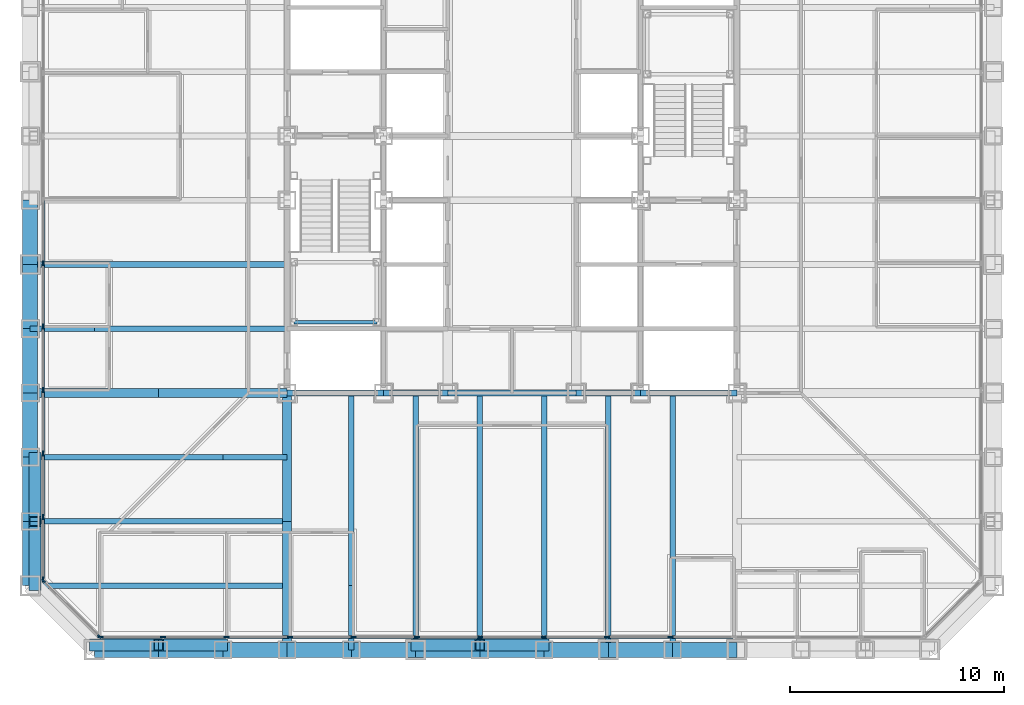
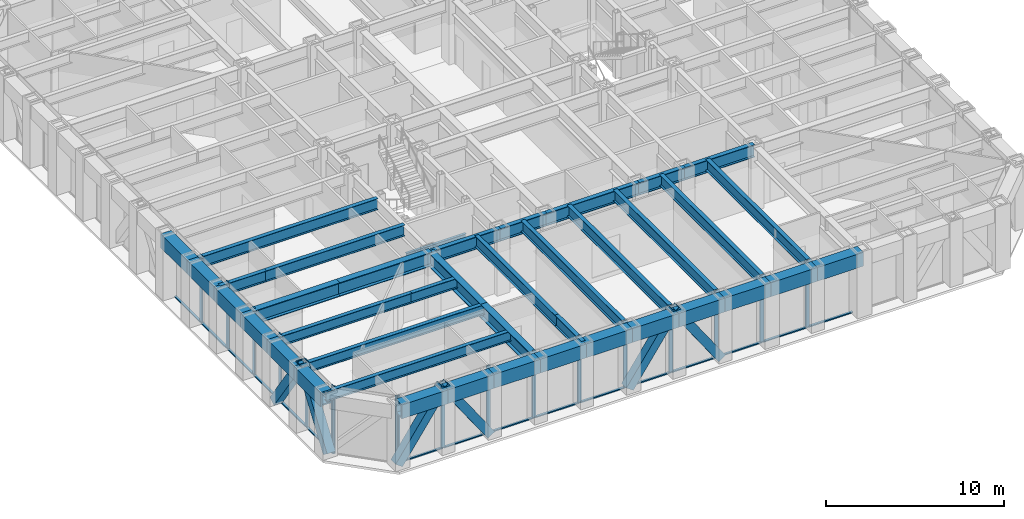
# One storey, part 2 of 17: 40 beams, 40 members, 3 elements without a shape of their own.
"""IFC4 building model written with IfcOpenShell, lengths in metres."""

from ifc_helpers import new_model, si_unit, direction, frame, origin, origin_2d, place, context, subcontext, project, spatial, rectangle, hollow_rectangle, i_section, extrude, material, layer, layer_set, material_profile, profile_set, type_object, element, aggregate, save


model = new_model("IFC4")

# Units and contexts
model_context = context("Model", 3, precision=1e-05, world=origin(), true_north=direction((0.0, 1.0)))
body_context = subcontext(model_context, "Body", "Model", "MODEL_VIEW")
ifc_project = project(units=[si_unit("LENGTHUNIT", "METRE"), si_unit("AREAUNIT", "SQUARE_METRE"), si_unit("VOLUMEUNIT", "CUBIC_METRE"), si_unit("PLANEANGLEUNIT", "RADIAN"), si_unit("MASSUNIT", "GRAM", prefix="KILO")], contexts=[model_context])

# Site, building, storey
site_placement = place(None, origin())
site = spatial("IfcSite", under=ifc_project, at=site_placement, CompositionType="ELEMENT")
building_placement = place(site_placement, origin())
building = spatial("IfcBuilding", under=site, at=building_placement, Name="Chuquiago Exchange Tower", CompositionType="ELEMENT")
storey_placement = place(building_placement, frame((0.0, 0.0, 91.800048828125)))
storey = spatial("IfcBuildingStorey", under=building, at=storey_placement, Name="L19", CompositionType="ELEMENT", Elevation=91.800048828125)

# Beams
ifc_material_1 = material(Name="Steel ASTM A992", Category="steel")
ifc_material_profile_1 = material_profile(ifc_material_1, i_section(OverallWidth=0.2919921875, OverallDepth=0.8583984375, WebThickness=0.01708984375, FlangeThickness=0.031005859375, at=origin_2d()), Name="W33X169")
ifc_profile_set_1 = profile_set([ifc_material_profile_1], Name="Steel ASTM A992")
beam_type_1 = type_object("IfcBeamType", Name="B3 W33X169", PredefinedType="BEAM", material=ifc_profile_set_1)
beam_1_placement = place(storey_placement, frame((12.0, 12.0, 3.91064453125), z_axis=(1.0, 0.0, 0.0), x_axis=(0.0, 1.0, 0.0)))
element("IfcBeam", 1, at=beam_1_placement, inside=storey, type_object=beam_type_1, Name="CB-L20-12_12-16.5_12", PredefinedType="BEAM", context=body_context, shape_type="SweptSolid", body=[
    extrude(i_section(OverallWidth=0.2919921875, OverallDepth=0.8583984375, WebThickness=0.01708984375, FlangeThickness=0.031005859375, at=origin_2d()), origin(), (0.0, 0.0, 1.0), 4.5),
])
beam_2_placement = place(storey_placement, frame((16.5, 12.0, 3.91064453125), z_axis=(1.0, 0.0, 0.0), x_axis=(0.0, 1.0, 0.0)))
element("IfcBeam", 2, at=beam_2_placement, inside=storey, type_object=beam_type_1, Name="CB-L20-16.5_12-19.5_12", PredefinedType="BEAM", context=body_context, shape_type="SweptSolid", body=[
    extrude(i_section(OverallWidth=0.2919921875, OverallDepth=0.8583984375, WebThickness=0.01708984375, FlangeThickness=0.031005859375, at=origin_2d()), origin(), (0.0, 0.0, 1.0), 3.0),
])
beam_3_placement = place(storey_placement, frame((19.5, 12.0, 3.91064453125), z_axis=(1.0, 0.0, 0.0), x_axis=(0.0, 1.0, 0.0)))
element("IfcBeam", 3, at=beam_3_placement, inside=storey, type_object=beam_type_1, Name="CB-L20-19.5_12-25.5_12", PredefinedType="BEAM", context=body_context, shape_type="SweptSolid", body=[
    extrude(i_section(OverallWidth=0.2919921875, OverallDepth=0.8583984375, WebThickness=0.01708984375, FlangeThickness=0.031005859375, at=origin_2d()), origin(), (0.0, 0.0, 1.0), 6.0),
])
beam_4_placement = place(storey_placement, frame((25.5, 12.0, 3.91064453125), z_axis=(1.0, 0.0, 0.0), x_axis=(0.0, 1.0, 0.0)))
element("IfcBeam", 4, at=beam_4_placement, inside=storey, type_object=beam_type_1, Name="CB-L20-25.5_12-28.5_12", PredefinedType="BEAM", context=body_context, shape_type="SweptSolid", body=[
    extrude(i_section(OverallWidth=0.2919921875, OverallDepth=0.8583984375, WebThickness=0.01708984375, FlangeThickness=0.031005859375, at=origin_2d()), origin(), (0.0, 0.0, 1.0), 3.0),
])
beam_5_placement = place(storey_placement, frame((28.5, 12.0, 3.91064453125), z_axis=(1.0, 0.0, 0.0), x_axis=(0.0, 1.0, 0.0)))
element("IfcBeam", 5, at=beam_5_placement, inside=storey, type_object=beam_type_1, Name="CB-L20-28.5_12-33_12", PredefinedType="BEAM", context=body_context, shape_type="SweptSolid", body=[
    extrude(i_section(OverallWidth=0.2919921875, OverallDepth=0.8583984375, WebThickness=0.01708984375, FlangeThickness=0.031005859375, at=origin_2d()), origin(), (0.0, 0.0, 1.0), 4.5),
])
ifc_material_2 = material(Name="Steel ASTM A992", Category="steel")
ifc_material_profile_2 = material_profile(ifc_material_2, i_section(OverallWidth=0.2666015625, OverallDepth=0.761962890625, WebThickness=0.014404296875, FlangeThickness=0.021484375, at=origin_2d()), Name="W30X116")
ifc_profile_set_2 = profile_set([ifc_material_profile_2], Name="Steel ASTM A992")
beam_type_2 = type_object("IfcBeamType", Name="B8 W30X116", PredefinedType="BEAM", material=ifc_profile_set_2)
beam_6_placement = place(storey_placement, frame((15.0, 12.0, 3.958984375), z_axis=(0.0, -1.0, 0.0), x_axis=(1.0, 0.0, 0.0)))
element("IfcBeam", 6, at=beam_6_placement, inside=storey, type_object=beam_type_2, Name="FB-L20-infill-15_12-15_-0-0", PredefinedType="BEAM", context=body_context, shape_type="SweptSolid", body=[
    extrude(i_section(OverallWidth=0.2666015625, OverallDepth=0.761962890625, WebThickness=0.014404296875, FlangeThickness=0.021484375, at=origin_2d()), origin(), (0.0, 0.0, 1.0), 9.0),
])
beam_7_placement = place(storey_placement, frame((15.0, 3.0, 3.958984375), z_axis=(0.0, -1.0, 0.0), x_axis=(1.0, 0.0, 0.0)))
element("IfcBeam", 7, at=beam_7_placement, inside=storey, type_object=beam_type_2, Name="FB-L20-infill-15_12-15_-0-1", PredefinedType="BEAM", context=body_context, shape_type="SweptSolid", body=[
    extrude(i_section(OverallWidth=0.2666015625, OverallDepth=0.761962890625, WebThickness=0.014404296875, FlangeThickness=0.021484375, at=origin_2d()), origin(), (0.0, 0.0, 1.0), 3.0),
])
for number, where, z_axis, x_axis, name in (
    (8, (18.0, 12.0, 3.958984375), (0.0, -1.0, 0.0), (1.0, 0.0, 0.0), "FB-L20-infill-18_12-18_-0-0"),
    (9, (21.0, 12.0, 3.958984375), (0.0, -1.0, 0.0), (1.0, 0.0, 0.0), "FB-L20-infill-21_12-21_-0-0"),
    (10, (24.0, 12.0, 3.958984375), (0.0, -1.0, 0.0), (1.0, 0.0, 0.0), "FB-L20-infill-24_12-24_-0-0"),
    (11, (27.0, 12.0, 3.958984375), (0.0, -1.0, 0.0), (1.0, 0.0, 0.0), "FB-L20-infill-27_12-27_-0-0"),
    (12, (30.0, 12.0, 3.958984375), (0.0, -1.0, 0.0), (1.0, 0.0, 0.0), "FB-L20-infill-30_12-30_-0-0"),
):
    element("IfcBeam", number, at=place(storey_placement, frame(where, z_axis=z_axis, x_axis=x_axis)), inside=storey, type_object=beam_type_2, Name=name, PredefinedType="BEAM", context=body_context, shape_type="SweptSolid", body=[
        extrude(i_section(OverallWidth=0.2666015625, OverallDepth=0.761962890625, WebThickness=0.014404296875, FlangeThickness=0.021484375, at=origin_2d()), origin(), (0.0, 0.0, 1.0), 12.0),
    ])
beam_8_placement = place(storey_placement, frame((12.0, 15.0, 3.958984375), z_axis=(-1.0, 0.0, 0.0), x_axis=(0.0, -1.0, 0.0)))
element("IfcBeam", 13, at=beam_8_placement, inside=storey, type_object=beam_type_2, Name="FB-L20-infill-12_15--0_15-0", PredefinedType="BEAM", context=body_context, shape_type="SweptSolid", body=[
    extrude(i_section(OverallWidth=0.2666015625, OverallDepth=0.761962890625, WebThickness=0.014404296875, FlangeThickness=0.021484375, at=origin_2d()), origin(), (0.0, 0.0, 1.0), 9.0),
])
beam_9_placement = place(storey_placement, frame((3.0, 15.0, 3.958984375), z_axis=(-1.0, 0.0, 0.0), x_axis=(0.0, -1.0, 0.0)))
element("IfcBeam", 14, at=beam_9_placement, inside=storey, type_object=beam_type_2, Name="FB-L20-infill-12_15--0_15-1", PredefinedType="BEAM", context=body_context, shape_type="SweptSolid", body=[
    extrude(i_section(OverallWidth=0.2666015625, OverallDepth=0.761962890625, WebThickness=0.014404296875, FlangeThickness=0.021484375, at=origin_2d()), origin(), (0.0, 0.0, 1.0), 3.0),
])
beam_10_placement = place(storey_placement, frame((12.0, 18.0, 3.958984375), z_axis=(-1.0, 0.0, 0.0), x_axis=(0.0, -1.0, 0.0)))
element("IfcBeam", 15, at=beam_10_placement, inside=storey, type_object=beam_type_2, Name="FB-L20-infill-12_18--0_18-0", PredefinedType="BEAM", context=body_context, shape_type="SweptSolid", body=[
    extrude(i_section(OverallWidth=0.2666015625, OverallDepth=0.761962890625, WebThickness=0.014404296875, FlangeThickness=0.021484375, at=origin_2d()), origin(), (0.0, 0.0, 1.0), 12.0),
])
ifc_material_3 = material(Name="Steel ASTM A992", Category="steel")
ifc_material_profile_3 = material_profile(ifc_material_3, i_section(OverallWidth=0.256591796875, OverallDepth=0.693359375, WebThickness=0.014404296875, FlangeThickness=0.023681640625, at=origin_2d()), Name="W27X114")
ifc_profile_set_3 = profile_set([ifc_material_profile_3], Name="Steel ASTM A992")
beam_type_3 = type_object("IfcBeamType", Name="B9 W27X114", PredefinedType="BEAM", material=ifc_profile_set_3)
for number, where, z_axis, x_axis, name in (
    (16, (12.0, 3.0, 3.9931640625), (-1.0, 0.0, 0.0), (0.0, -1.0, 0.0), "FB-L20-corner-12_3--0_3-0"),
    (17, (12.0, 6.0, 3.9931640625), (-1.0, 0.0, 0.0), (0.0, -1.0, 0.0), "FB-L20-corner-12_6--0_6-0"),
):
    element("IfcBeam", number, at=place(storey_placement, frame(where, z_axis=z_axis, x_axis=x_axis)), inside=storey, type_object=beam_type_3, Name=name, PredefinedType="BEAM", context=body_context, shape_type="SweptSolid", body=[
        extrude(i_section(OverallWidth=0.256591796875, OverallDepth=0.693359375, WebThickness=0.014404296875, FlangeThickness=0.023681640625, at=origin_2d()), origin(), (0.0, 0.0, 1.0), 12.0),
    ])
beam_11_placement = place(storey_placement, frame((12.0, 9.0, 3.9931640625), z_axis=(-1.0, 0.0, 0.0), x_axis=(0.0, -1.0, 0.0)))
element("IfcBeam", 18, at=beam_11_placement, inside=storey, type_object=beam_type_3, Name="FB-L20-corner-12_9--0_9-0", PredefinedType="BEAM", context=body_context, shape_type="SweptSolid", body=[
    extrude(i_section(OverallWidth=0.256591796875, OverallDepth=0.693359375, WebThickness=0.014404296875, FlangeThickness=0.023681640625, at=origin_2d()), origin(), (0.0, 0.0, 1.0), 3.0),
])
beam_12_placement = place(storey_placement, frame((9.0, 9.0, 3.9931640625), z_axis=(-1.0, 0.0, 0.0), x_axis=(0.0, -1.0, 0.0)))
element("IfcBeam", 19, at=beam_12_placement, inside=storey, type_object=beam_type_3, Name="FB-L20-corner-12_9--0_9-1", PredefinedType="BEAM", context=body_context, shape_type="SweptSolid", body=[
    extrude(i_section(OverallWidth=0.256591796875, OverallDepth=0.693359375, WebThickness=0.014404296875, FlangeThickness=0.023681640625, at=origin_2d()), origin(), (0.0, 0.0, 1.0), 9.0),
])

# Curtain wall, members
ifc_material_4 = material(Name="Aluminium curtain wall system", Category="aluminium")
ifc_layer_1 = layer(ifc_material_4, 0.25)
ifc_layer_set_1 = layer_set([ifc_layer_1], Name="CW1 trading floor curtain wall")
curtain_wall_type_1 = type_object("IfcCurtainWallType", Name="CW1 trading floor curtain wall", PredefinedType="NOTDEFINED", material=ifc_layer_set_1)
curtain_wall_1_placement = place(storey_placement, origin())
curtain_wall_1 = element("IfcCurtainWall", 20, at=curtain_wall_1_placement, inside=storey, type_object=curtain_wall_type_1, Name="CW1 curtain wall L19", PredefinedType="NOTDEFINED")
ifc_material_5 = material(Name="Aluminium mullion, pale anodised", Category="aluminium")
ifc_material_profile_4 = material_profile(ifc_material_5, rectangle(XDim=0.074951171875, YDim=0.25, at=origin_2d()), Name="AL 75x250")
ifc_profile_set_4 = profile_set([ifc_material_profile_4], Name="Aluminium mullion, pale anodised")
member_type_1 = type_object("IfcMemberType", Name="CW1-M mullion 75x250", PredefinedType="MULLION", material=ifc_profile_set_4)
member_1_placement = place(storey_placement, frame((3.285888671875, 0.60009765625, -0.300048828125), z_axis=(0.0, 0.0, 1.0), x_axis=(0.0, 1.0, 0.0)))
member_1 = element("IfcMember", 21, at=member_1_placement, type_object=member_type_1, Name="CW1 mullion 1", PredefinedType="MULLION", context=body_context, shape_type="SweptSolid", body=[
    extrude(rectangle(XDim=0.074951171875, YDim=0.25, at=origin_2d()), origin(), (0.0, 0.0, 1.0), 4.639892578125),
])
member_2_placement = place(storey_placement, frame((6.210205078125, 0.60009765625, -0.300048828125), z_axis=(0.0, 0.0, 1.0), x_axis=(0.0, 1.0, 0.0)))
member_2 = element("IfcMember", 22, at=member_2_placement, type_object=member_type_1, Name="CW1 mullion 2", PredefinedType="MULLION", context=body_context, shape_type="SweptSolid", body=[
    extrude(rectangle(XDim=0.074951171875, YDim=0.25, at=origin_2d()), origin(), (0.0, 0.0, 1.0), 4.639892578125),
])
member_3_placement = place(storey_placement, frame((9.172119140625, 0.60009765625, -0.300048828125), z_axis=(0.0, 0.0, 1.0), x_axis=(0.0, 1.0, 0.0)))
member_3 = element("IfcMember", 23, at=member_3_placement, type_object=member_type_1, Name="CW1 mullion 3", PredefinedType="MULLION", context=body_context, shape_type="SweptSolid", body=[
    extrude(rectangle(XDim=0.074951171875, YDim=0.25, at=origin_2d()), origin(), (0.0, 0.0, 1.0), 4.639892578125),
])
member_4_placement = place(storey_placement, frame((12.1337890625, 0.60009765625, -0.300048828125), z_axis=(0.0, 0.0, 1.0), x_axis=(0.0, 1.0, 0.0)))
member_4 = element("IfcMember", 24, at=member_4_placement, type_object=member_type_1, Name="CW1 mullion 4", PredefinedType="MULLION", context=body_context, shape_type="SweptSolid", body=[
    extrude(rectangle(XDim=0.074951171875, YDim=0.25, at=origin_2d()), origin(), (0.0, 0.0, 1.0), 4.639892578125),
])
member_5_placement = place(storey_placement, frame((15.095458984375, 0.60009765625, -0.300048828125), z_axis=(0.0, 0.0, 1.0), x_axis=(0.0, 1.0, 0.0)))
member_5 = element("IfcMember", 25, at=member_5_placement, type_object=member_type_1, Name="CW1 mullion 5", PredefinedType="MULLION", context=body_context, shape_type="SweptSolid", body=[
    extrude(rectangle(XDim=0.074951171875, YDim=0.25, at=origin_2d()), origin(), (0.0, 0.0, 1.0), 4.639892578125),
])
member_6_placement = place(storey_placement, frame((18.057373046875, 0.60009765625, -0.300048828125), z_axis=(0.0, 0.0, 1.0), x_axis=(0.0, 1.0, 0.0)))
member_6 = element("IfcMember", 26, at=member_6_placement, type_object=member_type_1, Name="CW1 mullion 6", PredefinedType="MULLION", context=body_context, shape_type="SweptSolid", body=[
    extrude(rectangle(XDim=0.074951171875, YDim=0.25, at=origin_2d()), origin(), (0.0, 0.0, 1.0), 4.639892578125),
])
member_7_placement = place(storey_placement, frame((21.01904296875, 0.60009765625, -0.300048828125), z_axis=(0.0, 0.0, 1.0), x_axis=(0.0, 1.0, 0.0)))
member_7 = element("IfcMember", 27, at=member_7_placement, type_object=member_type_1, Name="CW1 mullion 7", PredefinedType="MULLION", context=body_context, shape_type="SweptSolid", body=[
    extrude(rectangle(XDim=0.074951171875, YDim=0.25, at=origin_2d()), origin(), (0.0, 0.0, 1.0), 4.639892578125),
])
member_8_placement = place(storey_placement, frame((23.98095703125, 0.60009765625, -0.300048828125), z_axis=(0.0, 0.0, 1.0), x_axis=(0.0, 1.0, 0.0)))
member_8 = element("IfcMember", 28, at=member_8_placement, type_object=member_type_1, Name="CW1 mullion 8", PredefinedType="MULLION", context=body_context, shape_type="SweptSolid", body=[
    extrude(rectangle(XDim=0.074951171875, YDim=0.25, at=origin_2d()), origin(), (0.0, 0.0, 1.0), 4.639892578125),
])
member_9_placement = place(storey_placement, frame((26.942626953125, 0.60009765625, -0.300048828125), z_axis=(0.0, 0.0, 1.0), x_axis=(0.0, 1.0, 0.0)))
member_9 = element("IfcMember", 29, at=member_9_placement, type_object=member_type_1, Name="CW1 mullion 9", PredefinedType="MULLION", context=body_context, shape_type="SweptSolid", body=[
    extrude(rectangle(XDim=0.074951171875, YDim=0.25, at=origin_2d()), origin(), (0.0, 0.0, 1.0), 4.639892578125),
])
member_10_placement = place(storey_placement, frame((29.904541015625, 0.60009765625, -0.300048828125), z_axis=(0.0, 0.0, 1.0), x_axis=(0.0, 1.0, 0.0)))
member_10 = element("IfcMember", 30, at=member_10_placement, type_object=member_type_1, Name="CW1 mullion 10", PredefinedType="MULLION", context=body_context, shape_type="SweptSolid", body=[
    extrude(rectangle(XDim=0.074951171875, YDim=0.25, at=origin_2d()), origin(), (0.0, 0.0, 1.0), 4.639892578125),
])

curtain_wall_2_placement = place(storey_placement, origin())
curtain_wall_2 = element("IfcCurtainWall", 31, at=curtain_wall_2_placement, inside=storey, type_object=curtain_wall_type_1, Name="CW1 curtain wall L19", PredefinedType="NOTDEFINED")
member_11_placement = place(storey_placement, frame((0.60009765625, 18.057373046875, -0.300048828125), z_axis=(0.0, 0.0, 1.0), x_axis=(1.0, 0.0, 0.0)))
member_11 = element("IfcMember", 32, at=member_11_placement, type_object=member_type_1, Name="CW1 mullion 9", PredefinedType="MULLION", context=body_context, shape_type="SweptSolid", body=[
    extrude(rectangle(XDim=0.074951171875, YDim=0.25, at=origin_2d()), origin(), (0.0, 0.0, 1.0), 4.639892578125),
])
member_12_placement = place(storey_placement, frame((0.60009765625, 15.095458984375, -0.300048828125), z_axis=(0.0, 0.0, 1.0), x_axis=(1.0, 0.0, 0.0)))
member_12 = element("IfcMember", 33, at=member_12_placement, type_object=member_type_1, Name="CW1 mullion 10", PredefinedType="MULLION", context=body_context, shape_type="SweptSolid", body=[
    extrude(rectangle(XDim=0.074951171875, YDim=0.25, at=origin_2d()), origin(), (0.0, 0.0, 1.0), 4.639892578125),
])
member_13_placement = place(storey_placement, frame((0.60009765625, 12.1337890625, -0.300048828125), z_axis=(0.0, 0.0, 1.0), x_axis=(1.0, 0.0, 0.0)))
member_13 = element("IfcMember", 34, at=member_13_placement, type_object=member_type_1, Name="CW1 mullion 11", PredefinedType="MULLION", context=body_context, shape_type="SweptSolid", body=[
    extrude(rectangle(XDim=0.074951171875, YDim=0.25, at=origin_2d()), origin(), (0.0, 0.0, 1.0), 4.639892578125),
])
member_14_placement = place(storey_placement, frame((0.60009765625, 9.172119140625, -0.300048828125), z_axis=(0.0, 0.0, 1.0), x_axis=(1.0, 0.0, 0.0)))
member_14 = element("IfcMember", 35, at=member_14_placement, type_object=member_type_1, Name="CW1 mullion 12", PredefinedType="MULLION", context=body_context, shape_type="SweptSolid", body=[
    extrude(rectangle(XDim=0.074951171875, YDim=0.25, at=origin_2d()), origin(), (0.0, 0.0, 1.0), 4.639892578125),
])
member_15_placement = place(storey_placement, frame((0.60009765625, 6.210205078125, -0.300048828125), z_axis=(0.0, 0.0, 1.0), x_axis=(1.0, 0.0, 0.0)))
member_15 = element("IfcMember", 36, at=member_15_placement, type_object=member_type_1, Name="CW1 mullion 13", PredefinedType="MULLION", context=body_context, shape_type="SweptSolid", body=[
    extrude(rectangle(XDim=0.074951171875, YDim=0.25, at=origin_2d()), origin(), (0.0, 0.0, 1.0), 4.639892578125),
])
member_16_placement = place(storey_placement, frame((0.60009765625, 3.285888671875, -0.300048828125), z_axis=(0.0, 0.0, 1.0), x_axis=(1.0, 0.0, 0.0)))
member_16 = element("IfcMember", 37, at=member_16_placement, type_object=member_type_1, Name="CW1 mullion 14", PredefinedType="MULLION", context=body_context, shape_type="SweptSolid", body=[
    extrude(rectangle(XDim=0.074951171875, YDim=0.25, at=origin_2d()), origin(), (0.0, 0.0, 1.0), 4.639892578125),
])

# Member
ifc_material_6 = material(Name="Aluminium transom, pale anodised", Category="aluminium")
ifc_material_profile_5 = material_profile(ifc_material_6, rectangle(XDim=0.14990234375, YDim=0.074951171875, at=origin_2d()), Name="AL 150x75")
ifc_profile_set_5 = profile_set([ifc_material_profile_5], Name="Aluminium transom, pale anodised")
member_type_2 = type_object("IfcMemberType", Name="CW1-T transom 75x150", PredefinedType="MULLION", material=ifc_profile_set_5)
member_17_placement = place(storey_placement, frame((3.323486328125, 0.60009765625, -0.262451171875), z_axis=(1.0, 0.0, 0.0), x_axis=(0.0, 1.0, 0.0)))
member_17 = element("IfcMember", 38, at=member_17_placement, type_object=member_type_2, Name="CW1 transom 1.1", PredefinedType="MULLION", context=body_context, shape_type="SweptSolid", body=[
    extrude(rectangle(XDim=0.14990234375, YDim=0.074951171875, at=origin_2d()), origin(), (0.0, 0.0, 1.0), 2.849365234375),
])

member_18_placement = place(storey_placement, frame((6.247802734375, 0.60009765625, -0.262451171875), z_axis=(1.0, 0.0, 0.0), x_axis=(0.0, 1.0, 0.0)))
member_18 = element("IfcMember", 39, at=member_18_placement, type_object=member_type_2, Name="CW1 transom 2.1", PredefinedType="MULLION", context=body_context, shape_type="SweptSolid", body=[
    extrude(rectangle(XDim=0.14990234375, YDim=0.074951171875, at=origin_2d()), origin(), (0.0, 0.0, 1.0), 2.88671875),
])

member_19_placement = place(storey_placement, frame((9.20947265625, 0.60009765625, -0.262451171875), z_axis=(1.0, 0.0, 0.0), x_axis=(0.0, 1.0, 0.0)))
member_19 = element("IfcMember", 40, at=member_19_placement, type_object=member_type_2, Name="CW1 transom 3.1", PredefinedType="MULLION", context=body_context, shape_type="SweptSolid", body=[
    extrude(rectangle(XDim=0.14990234375, YDim=0.074951171875, at=origin_2d()), origin(), (0.0, 0.0, 1.0), 2.88671875),
])

member_20_placement = place(storey_placement, frame((12.17138671875, 0.60009765625, -0.262451171875), z_axis=(1.0, 0.0, 0.0), x_axis=(0.0, 1.0, 0.0)))
member_20 = element("IfcMember", 41, at=member_20_placement, type_object=member_type_2, Name="CW1 transom 4.1", PredefinedType="MULLION", context=body_context, shape_type="SweptSolid", body=[
    extrude(rectangle(XDim=0.14990234375, YDim=0.074951171875, at=origin_2d()), origin(), (0.0, 0.0, 1.0), 2.88671875),
])

member_21_placement = place(storey_placement, frame((15.133056640625, 0.60009765625, -0.262451171875), z_axis=(1.0, 0.0, 0.0), x_axis=(0.0, 1.0, 0.0)))
member_21 = element("IfcMember", 42, at=member_21_placement, type_object=member_type_2, Name="CW1 transom 5.1", PredefinedType="MULLION", context=body_context, shape_type="SweptSolid", body=[
    extrude(rectangle(XDim=0.14990234375, YDim=0.074951171875, at=origin_2d()), origin(), (0.0, 0.0, 1.0), 2.88671875),
])

member_22_placement = place(storey_placement, frame((18.0947265625, 0.60009765625, -0.262451171875), z_axis=(1.0, 0.0, 0.0), x_axis=(0.0, 1.0, 0.0)))
member_22 = element("IfcMember", 43, at=member_22_placement, type_object=member_type_2, Name="CW1 transom 6.1", PredefinedType="MULLION", context=body_context, shape_type="SweptSolid", body=[
    extrude(rectangle(XDim=0.14990234375, YDim=0.074951171875, at=origin_2d()), origin(), (0.0, 0.0, 1.0), 2.886962890625),
])

member_23_placement = place(storey_placement, frame((21.056640625, 0.60009765625, -0.262451171875), z_axis=(1.0, 0.0, 0.0), x_axis=(0.0, 1.0, 0.0)))
member_23 = element("IfcMember", 44, at=member_23_placement, type_object=member_type_2, Name="CW1 transom 7.1", PredefinedType="MULLION", context=body_context, shape_type="SweptSolid", body=[
    extrude(rectangle(XDim=0.14990234375, YDim=0.074951171875, at=origin_2d()), origin(), (0.0, 0.0, 1.0), 2.88671875),
])

member_24_placement = place(storey_placement, frame((24.018310546875, 0.60009765625, -0.262451171875), z_axis=(1.0, 0.0, 0.0), x_axis=(0.0, 1.0, 0.0)))
member_24 = element("IfcMember", 45, at=member_24_placement, type_object=member_type_2, Name="CW1 transom 8.1", PredefinedType="MULLION", context=body_context, shape_type="SweptSolid", body=[
    extrude(rectangle(XDim=0.14990234375, YDim=0.074951171875, at=origin_2d()), origin(), (0.0, 0.0, 1.0), 2.886962890625),
])

member_25_placement = place(storey_placement, frame((26.980224609375, 0.60009765625, -0.262451171875), z_axis=(1.0, 0.0, 0.0), x_axis=(0.0, 1.0, 0.0)))
member_25 = element("IfcMember", 46, at=member_25_placement, type_object=member_type_2, Name="CW1 transom 9.1", PredefinedType="MULLION", context=body_context, shape_type="SweptSolid", body=[
    extrude(rectangle(XDim=0.14990234375, YDim=0.074951171875, at=origin_2d()), origin(), (0.0, 0.0, 1.0), 2.88671875),
])

member_26_placement = place(storey_placement, frame((29.94189453125, 0.60009765625, -0.262451171875), z_axis=(1.0, 0.0, 0.0), x_axis=(0.0, 1.0, 0.0)))
member_26 = element("IfcMember", 47, at=member_26_placement, type_object=member_type_2, Name="CW1 transom 10.1", PredefinedType="MULLION", context=body_context, shape_type="SweptSolid", body=[
    extrude(rectangle(XDim=0.14990234375, YDim=0.074951171875, at=origin_2d()), origin(), (0.0, 0.0, 1.0), 2.88671875),
])

aggregate(curtain_wall_1, [member_1, member_2, member_3, member_4, member_5, member_6, member_7, member_8, member_9, member_10, member_17, member_18, member_19, member_20, member_21, member_22, member_23, member_24, member_25, member_26])

member_27_placement = place(storey_placement, frame((0.60009765625, 20.981689453125, -0.262451171875), z_axis=(0.0, -1.0, 0.0), x_axis=(1.0, 0.0, 0.0)))
member_27 = element("IfcMember", 48, at=member_27_placement, type_object=member_type_2, Name="CW1 transom 8.1", PredefinedType="MULLION", context=body_context, shape_type="SweptSolid", body=[
    extrude(rectangle(XDim=0.14990234375, YDim=0.074951171875, at=origin_2d()), origin(), (0.0, 0.0, 1.0), 2.886962890625),
])

member_28_placement = place(storey_placement, frame((0.60009765625, 18.019775390625, -0.262451171875), z_axis=(0.0, -1.0, 0.0), x_axis=(1.0, 0.0, 0.0)))
member_28 = element("IfcMember", 49, at=member_28_placement, type_object=member_type_2, Name="CW1 transom 9.1", PredefinedType="MULLION", context=body_context, shape_type="SweptSolid", body=[
    extrude(rectangle(XDim=0.14990234375, YDim=0.074951171875, at=origin_2d()), origin(), (0.0, 0.0, 1.0), 2.88671875),
])

member_29_placement = place(storey_placement, frame((0.60009765625, 15.05810546875, -0.262451171875), z_axis=(0.0, -1.0, 0.0), x_axis=(1.0, 0.0, 0.0)))
member_29 = element("IfcMember", 50, at=member_29_placement, type_object=member_type_2, Name="CW1 transom 10.1", PredefinedType="MULLION", context=body_context, shape_type="SweptSolid", body=[
    extrude(rectangle(XDim=0.14990234375, YDim=0.074951171875, at=origin_2d()), origin(), (0.0, 0.0, 1.0), 2.88671875),
])

member_30_placement = place(storey_placement, frame((0.60009765625, 12.09619140625, -0.262451171875), z_axis=(0.0, -1.0, 0.0), x_axis=(1.0, 0.0, 0.0)))
member_30 = element("IfcMember", 51, at=member_30_placement, type_object=member_type_2, Name="CW1 transom 11.1", PredefinedType="MULLION", context=body_context, shape_type="SweptSolid", body=[
    extrude(rectangle(XDim=0.14990234375, YDim=0.074951171875, at=origin_2d()), origin(), (0.0, 0.0, 1.0), 2.88671875),
])

member_31_placement = place(storey_placement, frame((0.60009765625, 9.134521484375, -0.262451171875), z_axis=(0.0, -1.0, 0.0), x_axis=(1.0, 0.0, 0.0)))
member_31 = element("IfcMember", 52, at=member_31_placement, type_object=member_type_2, Name="CW1 transom 12.1", PredefinedType="MULLION", context=body_context, shape_type="SweptSolid", body=[
    extrude(rectangle(XDim=0.14990234375, YDim=0.074951171875, at=origin_2d()), origin(), (0.0, 0.0, 1.0), 2.88671875),
])

member_32_placement = place(storey_placement, frame((0.60009765625, 6.1728515625, -0.262451171875), z_axis=(0.0, -1.0, 0.0), x_axis=(1.0, 0.0, 0.0)))
member_32 = element("IfcMember", 53, at=member_32_placement, type_object=member_type_2, Name="CW1 transom 13.1", PredefinedType="MULLION", context=body_context, shape_type="SweptSolid", body=[
    extrude(rectangle(XDim=0.14990234375, YDim=0.074951171875, at=origin_2d()), origin(), (0.0, 0.0, 1.0), 2.849365234375),
])

aggregate(curtain_wall_2, [member_11, member_12, member_13, member_14, member_15, member_16, member_27, member_28, member_29, member_30, member_31, member_32])

# Curtain wall, members
ifc_material_7 = material(Name="Aluminium curtain wall system", Category="aluminium")
ifc_layer_2 = layer(ifc_material_7, 0.199951171875)
ifc_layer_set_2 = layer_set([ifc_layer_2], Name="CW3 facet curtain wall")
curtain_wall_type_2 = type_object("IfcCurtainWallType", Name="CW3 facet curtain wall", PredefinedType="NOTDEFINED", material=ifc_layer_set_2)
curtain_wall_3_placement = place(storey_placement, origin())
curtain_wall_3 = element("IfcCurtainWall", 54, at=curtain_wall_3_placement, inside=storey, type_object=curtain_wall_type_2, Name="CW3 curtain wall L19", PredefinedType="NOTDEFINED")
ifc_material_8 = material(Name="Aluminium mullion, pale anodised", Category="aluminium")
ifc_material_profile_6 = material_profile(ifc_material_8, rectangle(XDim=0.06494140625, YDim=0.199951171875, at=origin_2d()), Name="AL 65x200")
ifc_profile_set_6 = profile_set([ifc_material_profile_6], Name="Aluminium mullion, pale anodised")
member_type_3 = type_object("IfcMemberType", Name="CW3-M mullion 65x200", PredefinedType="MULLION", material=ifc_profile_set_6)
member_33_placement = place(storey_placement, frame((0.623046875, 3.2255859375, -0.300048828125), z_axis=(0.0, 0.0, 1.0), x_axis=(0.707106781187, 0.707106781187, 0.0)))
member_33 = element("IfcMember", 55, at=member_33_placement, type_object=member_type_3, Name="CW3 mullion 1", PredefinedType="MULLION", context=body_context, shape_type="SweptSolid", body=[
    extrude(rectangle(XDim=0.06494140625, YDim=0.199951171875, at=origin_2d()), origin(), (0.0, 0.0, 1.0), 4.639892578125),
])
member_34_placement = place(storey_placement, frame((3.2255859375, 0.623046875, -0.300048828125), z_axis=(0.0, 0.0, 1.0), x_axis=(0.707106781187, 0.707106781187, 0.0)))
member_34 = element("IfcMember", 56, at=member_34_placement, type_object=member_type_3, Name="CW3 mullion 2", PredefinedType="MULLION", context=body_context, shape_type="SweptSolid", body=[
    extrude(rectangle(XDim=0.06494140625, YDim=0.199951171875, at=origin_2d()), origin(), (0.0, 0.0, 1.0), 4.639892578125),
])
aggregate(curtain_wall_3, [member_33, member_34])

# Beams
ifc_material_9 = material(Name="Steel ASTM A992", Category="steel")
ifc_material_profile_7 = material_profile(ifc_material_9, i_section(OverallWidth=0.424072265625, OverallDepth=0.947509765625, WebThickness=0.02392578125, FlangeThickness=0.042724609375, at=origin_2d()), Name="W36X302")
ifc_profile_set_7 = profile_set([ifc_material_profile_7], Name="Steel ASTM A992")
beam_type_4 = type_object("IfcBeamType", Name="G4 W36X302", PredefinedType="BEAM", material=ifc_profile_set_7)
for number, where, z_axis, x_axis, name in (
    (57, (12.0, 12.0, 3.8662109375), (0.0, -1.0, 0.0), (1.0, 0.0, 0.0), "FB-L20-girder-12_12-12_-0-0"),
    (58, (12.0, 6.0, 3.8662109375), (0.0, -1.0, 0.0), (1.0, 0.0, 0.0), "FB-L20-girder-12_12-12_-0-1"),
    (59, (12.0, 12.0, 3.8662109375), (-1.0, 0.0, 0.0), (0.0, -1.0, 0.0), "FB-L20-girder-12_12--0_12-0"),
    (60, (6.0, 12.0, 3.8662109375), (-1.0, 0.0, 0.0), (0.0, -1.0, 0.0), "FB-L20-girder-12_12--0_12-1"),
):
    element("IfcBeam", number, at=place(storey_placement, frame(where, z_axis=z_axis, x_axis=x_axis)), inside=storey, type_object=beam_type_4, Name=name, PredefinedType="BEAM", context=body_context, shape_type="SweptSolid", body=[
        extrude(i_section(OverallWidth=0.424072265625, OverallDepth=0.947509765625, WebThickness=0.02392578125, FlangeThickness=0.042724609375, at=origin_2d()), origin(), (0.0, 0.0, 1.0), 6.0),
    ])
ifc_material_10 = material(Name="Steel ASTM A992", Category="steel")
ifc_material_profile_8 = material_profile(ifc_material_10, i_section(OverallWidth=0.164794921875, OverallDepth=0.309814453125, WebThickness=0.005859375, FlangeThickness=0.009765625, at=origin_2d()), Name="W12X26")
ifc_profile_set_8 = profile_set([ifc_material_profile_8], Name="Steel ASTM A992")
beam_type_5 = type_object("IfcBeamType", Name="LT1 W12X26", PredefinedType="BEAM", material=ifc_profile_set_8)
beam_13_placement = place(storey_placement, frame((12.31005859375, 15.31005859375, 1.89501953125), z_axis=(1.0, 0.0, 0.0), x_axis=(0.0, 1.0, 0.0)))
element("IfcBeam", 61, at=beam_13_placement, inside=storey, type_object=beam_type_5, Name="Stair ST1 L19 landing 1 trimmer", PredefinedType="BEAM", context=body_context, shape_type="SweptSolid", body=[
    extrude(i_section(OverallWidth=0.164794921875, OverallDepth=0.309814453125, WebThickness=0.005859375, FlangeThickness=0.009765625, at=origin_2d()), origin(), (0.0, 0.0, 1.0), 3.8798828125),
])

# Members
ifc_material_11 = material(Name="Steel ASTM A572 Grade 50", Category="steel")
ifc_material_profile_9 = material_profile(ifc_material_11, hollow_rectangle(XDim=0.550048828125, YDim=0.550048828125, WallThickness=0.044921875, at=origin_2d()), Name="BOX550X550X45")
ifc_profile_set_9 = profile_set([ifc_material_profile_9], Name="Steel ASTM A572 Grade 50")
member_type_4 = type_object("IfcMemberType", Name="MB1 BOX550X550X45", PredefinedType="BRACE", material=ifc_profile_set_9)
for number, where, z_axis, x_axis, name in (
    (62, (3.0, 0.22998046875, 0.0), (0.56863232121, 0.0, 0.822591808417), (0.0, 1.0, 0.0), "Mega diagonal L19 S face"),
    (63, (9.0, 0.22998046875, 0.0), (-0.56863232121, 0.0, 0.822591808417), (0.0, -1.0, 0.0), "Mega diagonal L19 S face"),
    (64, (18.0, 0.22998046875, 0.0), (0.56863232121, 0.0, 0.822591808417), (0.0, 1.0, 0.0), "Mega diagonal L19 S face"),
    (65, (24.0, 0.22998046875, 0.0), (-0.56863232121, 0.0, 0.822591808417), (0.0, -1.0, 0.0), "Mega diagonal L19 S face"),
    (66, (0.22998046875, 9.0, 0.0), (0.0, -0.56863232121, 0.822591808417), (1.0, 0.0, 0.0), "Mega diagonal L19 W face"),
    (67, (0.22998046875, 3.0, 0.0), (0.0, 0.56863232121, 0.822591808417), (-1.0, 0.0, 0.0), "Mega diagonal L19 W face"),
):
    element("IfcMember", number, at=place(storey_placement, frame(where, z_axis=z_axis, x_axis=x_axis)), inside=storey, type_object=member_type_4, Name=name, PredefinedType="BRACE", context=body_context, shape_type="SweptSolid", body=[
        extrude(hollow_rectangle(XDim=0.550048828125, YDim=0.550048828125, WallThickness=0.044921875, at=origin_2d()), origin(), (0.0, 0.0, 1.0), 5.27587890625),
    ])

# Beams
ifc_material_12 = material(Name="Steel ASTM A572 Grade 50", Category="steel")
ifc_material_profile_10 = material_profile(ifc_material_12, hollow_rectangle(XDim=0.699951171875, YDim=0.949951171875, WallThickness=0.10009765625, at=origin_2d()), Name="BOX950X700X100")
ifc_profile_set_10 = profile_set([ifc_material_profile_10], Name="Steel ASTM A572 Grade 50")
beam_type_6 = type_object("IfcBeamType", Name="SP5 BOX950X700X100", PredefinedType="SPANDREL", material=ifc_profile_set_10)
for number, where, z_axis, x_axis, name in (
    (68, (3.0, 0.0, 3.864990234375), (1.0, 0.0, 0.0), (0.0, 1.0, 0.0), "SPB-L20-3_0-6_0"),
    (69, (6.0, 0.0, 3.864990234375), (1.0, 0.0, 0.0), (0.0, 1.0, 0.0), "SPB-L20-6_0-9_0"),
    (70, (9.0, 0.0, 3.864990234375), (1.0, 0.0, 0.0), (0.0, 1.0, 0.0), "SPB-L20-9_0-12_0"),
    (71, (12.0, 0.0, 3.864990234375), (1.0, 0.0, 0.0), (0.0, 1.0, 0.0), "SPB-L20-12_0-15_0"),
    (72, (15.0, 0.0, 3.864990234375), (1.0, 0.0, 0.0), (0.0, 1.0, 0.0), "SPB-L20-15_0-18_0"),
    (73, (18.0, 0.0, 3.864990234375), (1.0, 0.0, 0.0), (0.0, 1.0, 0.0), "SPB-L20-18_0-21_0"),
    (74, (21.0, 0.0, 3.864990234375), (1.0, 0.0, 0.0), (0.0, 1.0, 0.0), "SPB-L20-21_0-24_0"),
    (75, (24.0, 0.0, 3.864990234375), (1.0, 0.0, 0.0), (0.0, 1.0, 0.0), "SPB-L20-24_0-27_0"),
    (76, (27.0, 0.0, 3.864990234375), (1.0, 0.0, 0.0), (0.0, 1.0, 0.0), "SPB-L20-27_0-30_0"),
    (77, (30.0, 0.0, 3.864990234375), (1.0, 0.0, 0.0), (0.0, 1.0, 0.0), "SPB-L20-30_0-33_0"),
    (78, (0.0, 21.0, 3.864990234375), (0.0, -1.0, 0.0), (1.0, 0.0, 0.0), "SPB-L20-0_21-0_18"),
    (79, (0.0, 18.0, 3.864990234375), (0.0, -1.0, 0.0), (1.0, 0.0, 0.0), "SPB-L20-0_18-0_15"),
    (80, (0.0, 15.0, 3.864990234375), (0.0, -1.0, 0.0), (1.0, 0.0, 0.0), "SPB-L20-0_15-0_12"),
    (81, (0.0, 12.0, 3.864990234375), (0.0, -1.0, 0.0), (1.0, 0.0, 0.0), "SPB-L20-0_12-0_9"),
    (82, (0.0, 9.0, 3.864990234375), (0.0, -1.0, 0.0), (1.0, 0.0, 0.0), "SPB-L20-0_9-0_6"),
    (83, (0.0, 6.0, 3.864990234375), (0.0, -1.0, 0.0), (1.0, 0.0, 0.0), "SPB-L20-0_6-0_3"),
):
    element("IfcBeam", number, at=place(storey_placement, frame(where, z_axis=z_axis, x_axis=x_axis)), inside=storey, type_object=beam_type_6, Name=name, PredefinedType="SPANDREL", context=body_context, shape_type="SweptSolid", body=[
        extrude(hollow_rectangle(XDim=0.699951171875, YDim=0.949951171875, WallThickness=0.10009765625, at=origin_2d()), origin(), (0.0, 0.0, 1.0), 3.0),
    ])

save(model, "model.ifc")
